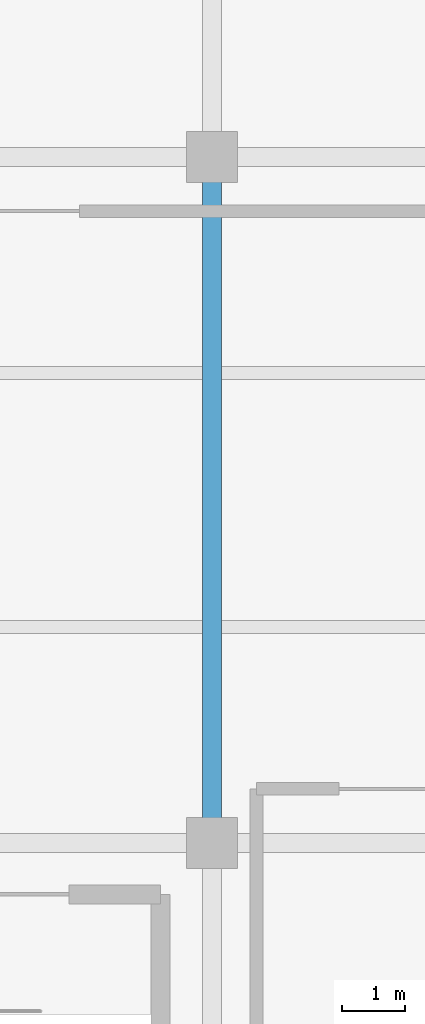
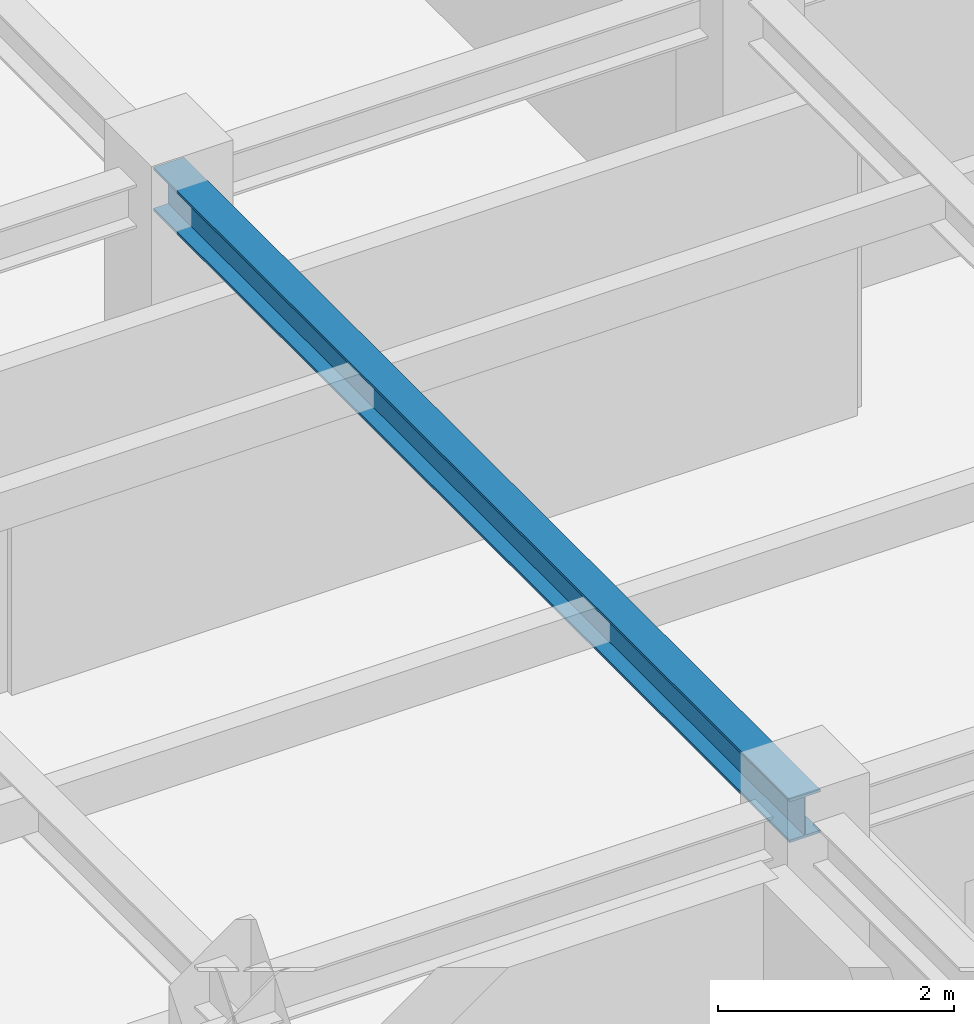
# One storey, part 9 of 21: 1 beam.
"""IFC4 building model written with IfcOpenShell, lengths in metres."""

from ifc_helpers import new_model, si_unit, direction, frame, origin, origin_2d, place, context, subcontext, project, spatial, i_section, extrude, source, transform, mapped, material, material_profile, profile_set, type_object, element, save


model = new_model("IFC4")

# Units and contexts
model_context = context("Model", 3, precision=1e-05, world=origin(), true_north=direction((0.0, 1.0)))
body_context = subcontext(model_context, "Body", "Model", "MODEL_VIEW")
ifc_project = project(units=[si_unit("LENGTHUNIT", "METRE"), si_unit("AREAUNIT", "SQUARE_METRE"), si_unit("VOLUMEUNIT", "CUBIC_METRE"), si_unit("PLANEANGLEUNIT", "RADIAN"), si_unit("MASSUNIT", "GRAM", prefix="KILO")], contexts=[model_context])

# Site, building, storey
site_placement = place(None, origin())
site = spatial("IfcSite", under=ifc_project, at=site_placement, CompositionType="ELEMENT")
building_placement = place(site_placement, origin())
building = spatial("IfcBuilding", under=site, at=building_placement, Name="Nahalor Promenade Grand Hotel", CompositionType="ELEMENT")
storey_placement = place(building_placement, frame((0.0, 0.0, 370.85009765625)))
storey = spatial("IfcBuildingStorey", under=building, at=storey_placement, Name="L94", CompositionType="ELEMENT", Elevation=370.85009765625)

# Beam
ifc_material = material(Name="Steel S355JR", Category="steel")
ifc_material_profile = material_profile(ifc_material, i_section(OverallWidth=0.3, OverallDepth=0.45, WebThickness=0.014, FlangeThickness=0.026, at=origin_2d()), Name="HEB 450")
ifc_profile_set = profile_set([ifc_material_profile], Name="Steel S355JR")
beam_type = type_object("IfcBeamType", Name="Beam-Girder-HEB450", PredefinedType="BEAM", material=ifc_profile_set)
shared_shape = source(origin(), body_context, "Body", "SweptSolid", [
    extrude(i_section(OverallWidth=0.3, OverallDepth=0.45, WebThickness=0.014, FlangeThickness=0.026, at=origin_2d()), origin(), (0.0, 0.0, 1.0), 10.7998046875),
])
beam_placement = place(storey_placement, frame((-2.800048828125, -5.39990234375, 3.994873046875), z_axis=(0.0, 1.0, 0.0), x_axis=(-1.0, 0.0, 0.0)))
element("IfcBeam", 1, at=beam_placement, inside=storey, type_object=beam_type, Name="BM-L94-GY-2-1", PredefinedType="BEAM", context=body_context, shape_type="MappedRepresentation", body=[
    mapped(shared_shape, transform((0.0, 0.0, 0.0), scale=1.0)),
])

save(model, "model.ifc")
